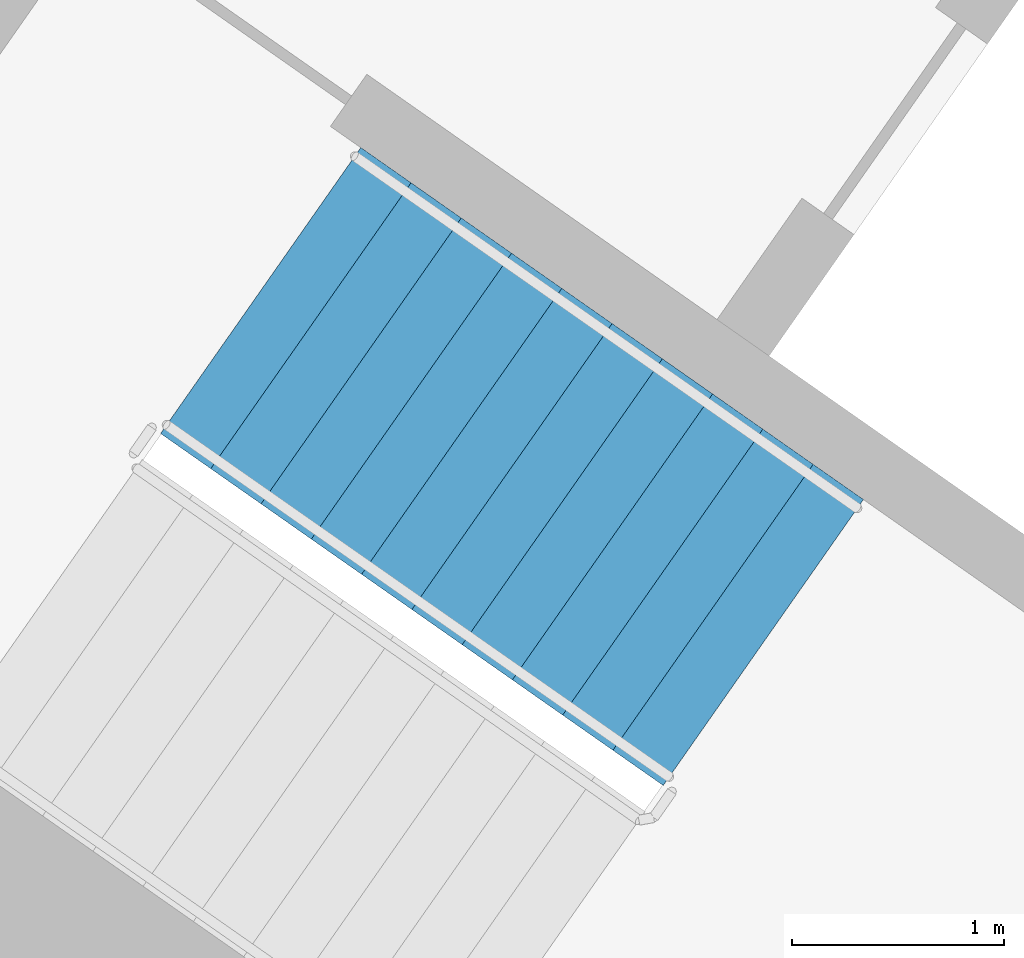
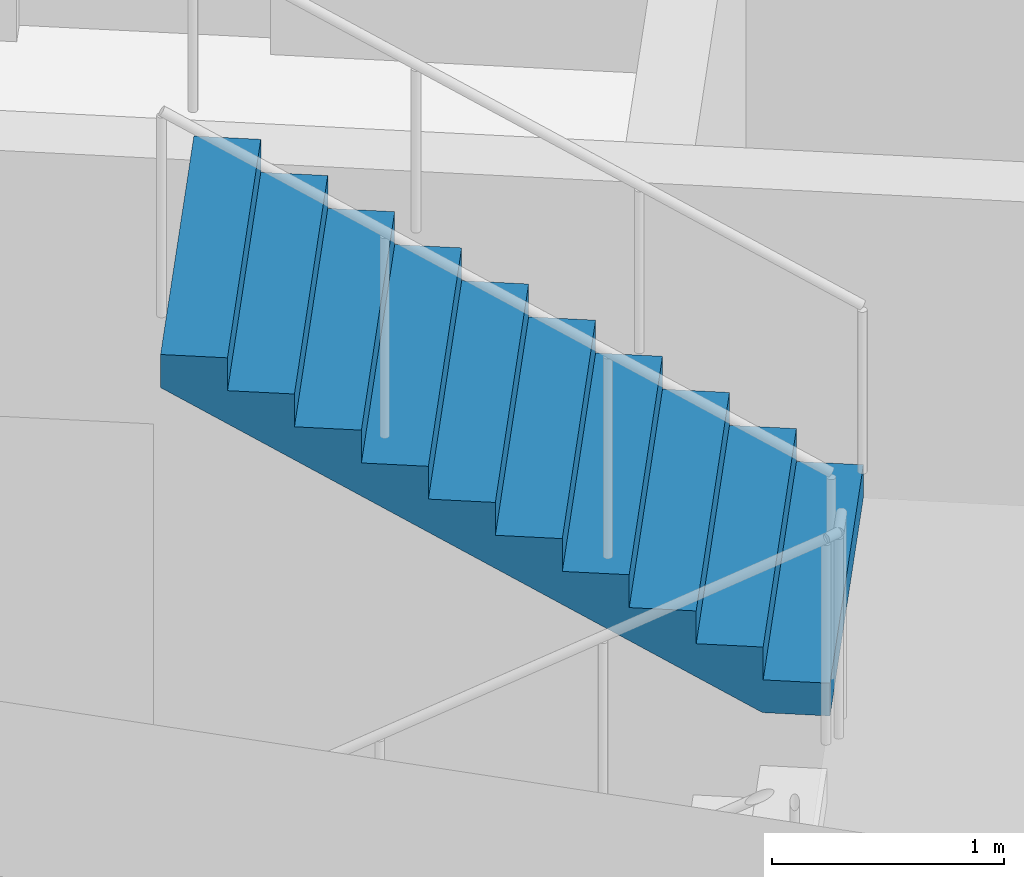
# One storey, part 11 of 30: 1 stair flight, 1 element without a shape of its own.
"""IFC4 building model written with IfcOpenShell, lengths in metres."""

from ifc_helpers import new_model, si_unit, direction, frame, origin, place, context, subcontext, project, spatial, faceted_brep, material, type_object, element, aggregate, save


model = new_model("IFC4")

# Units and contexts
model_context = context("Model", 3, precision=1e-05, world=origin(), true_north=direction((0.0, 1.0)))
body_context = subcontext(model_context, "Body", "Model", "MODEL_VIEW")
ifc_project = project(units=[si_unit("LENGTHUNIT", "METRE"), si_unit("AREAUNIT", "SQUARE_METRE"), si_unit("VOLUMEUNIT", "CUBIC_METRE"), si_unit("PLANEANGLEUNIT", "RADIAN"), si_unit("MASSUNIT", "GRAM", prefix="KILO")], contexts=[model_context])

# Site, building, storey
site_placement = place(None, origin())
site = spatial("IfcSite", under=ifc_project, at=site_placement, CompositionType="ELEMENT")
building_placement = place(site_placement, origin())
building = spatial("IfcBuilding", under=site, at=building_placement, Name="Qamariyya Broadcast Tower", CompositionType="ELEMENT")
storey_placement = place(building_placement, frame((0.0, 0.0, 117.699951171875)))
storey = spatial("IfcBuildingStorey", under=building, at=storey_placement, Name="L26", CompositionType="ELEMENT", Elevation=117.699951171875)

# Stair, stair flight
ifc_material = material(Name="Concrete C50/60", Category="concrete")
stair_type = type_object("IfcStairType", Name="Exit stair 22 risers of 173 mm", PredefinedType="HALF_TURN_STAIR", material=ifc_material)
stair_placement = place(storey_placement, origin())
stair = element("IfcStair", 1, at=stair_placement, inside=storey, type_object=stair_type, Name="L26 Stair W1", PredefinedType="HALF_TURN_STAIR")
stair_flight_type = type_object("IfcStairFlightType", Name="Exit stair flight 11 risers of 173 mm", PredefinedType="STRAIGHT", material=ifc_material)
stair_flight_placement = place(storey_placement, frame((-43.660888671875, -57.17138671875, 1.900146484375), z_axis=(0.0, 0.0, 1.0), x_axis=(-0.819152044289, 0.573576436351, 0.0)))
stair_flight = element("IfcStairFlight", 2, at=stair_flight_placement, type_object=stair_flight_type, Name="ST-W1 flight 2", NumberOfRisers=11, NumberOfTreads=10, PredefinedType="STRAIGHT", RiserHeight=0.172727273, TreadLength=0.29, context=body_context, shape_type="Brep", body=[
    faceted_brep([(0.0, 0.824951171875, 0.0), (0.0, 0.824951171875, 0.172607421875), (0.2900390625, 0.824951171875, 0.172607421875), (0.2900390625, 0.824951171875, 0.345458984375), (0.580078125, 0.824951171875, 0.345458984375), (0.580078125, 0.824951171875, 0.51806640625), (0.8701171875, 0.824951171875, 0.51806640625), (0.8701171875, 0.824951171875, 0.69091796875), (1.159912109375, 0.824951171875, 0.69091796875), (1.159912109375, 0.824951171875, 0.863525390625), (1.449951171875, 0.824951171875, 0.863525390625), (1.449951171875, 0.824951171875, 1.036376953125), (1.739990234375, 0.824951171875, 1.036376953125), (1.739990234375, 0.824951171875, 1.208984375), (2.030029296875, 0.824951171875, 1.208984375), (2.030029296875, 0.824951171875, 1.3818359375), (2.320068359375, 0.824951171875, 1.3818359375), (2.320068359375, 0.824951171875, 1.554443359375), (2.610107421875, 0.824951171875, 1.554443359375), (2.610107421875, 0.824951171875, 1.727294921875), (2.89990234375, 0.824951171875, 1.727294921875), (2.89990234375, 0.824951171875, 1.552734375), (0.29296875, 0.824951171875, 0.0), (0.29296875, -0.824951171875, 0.0), (2.89990234375, -0.824951171875, 1.552734375), (2.89990234375, -0.824951171875, 1.727294921875), (2.610107421875, -0.824951171875, 1.727294921875), (2.610107421875, -0.824951171875, 1.554443359375), (2.320068359375, -0.824951171875, 1.554443359375), (2.320068359375, -0.824951171875, 1.3818359375), (2.030029296875, -0.824951171875, 1.3818359375), (2.030029296875, -0.824951171875, 1.208984375), (1.739990234375, -0.824951171875, 1.208984375), (1.739990234375, -0.824951171875, 1.036376953125), (1.449951171875, -0.824951171875, 1.036376953125), (1.449951171875, -0.824951171875, 0.863525390625), (1.159912109375, -0.824951171875, 0.863525390625), (1.159912109375, -0.824951171875, 0.69091796875), (0.8701171875, -0.824951171875, 0.69091796875), (0.8701171875, -0.824951171875, 0.51806640625), (0.580078125, -0.824951171875, 0.51806640625), (0.580078125, -0.824951171875, 0.345458984375), (0.2900390625, -0.824951171875, 0.345458984375), (0.2900390625, -0.824951171875, 0.172607421875), (0.0, -0.824951171875, 0.172607421875), (0.0, -0.824951171875, 0.0), (0.0, 0.10009765625, 0.0), (0.0, 0.086669921875, 0.0), (0.0, 0.0732421875, 0.0), (0.0, 0.06005859375, 0.0), (0.0, 0.046630859375, 0.0), (0.0, 0.033447265625, 0.0), (0.0, 0.02001953125, 0.0), (0.0, 0.006591796875, 0.0), (0.0, -0.006591796875, 0.0), (0.0, -0.02001953125, 0.0), (0.0, -0.033447265625, 0.0), (0.0, -0.046630859375, 0.0), (0.0, -0.06005859375, 0.0), (0.0, -0.0732421875, 0.0), (0.0, -0.086669921875, 0.0), (0.0, -0.10009765625, 0.0), (0.0, -0.10009765625, 0.172607421875), (0.0, -0.086669921875, 0.172607421875), (0.0, -0.0732421875, 0.172607421875), (0.0, -0.06005859375, 0.172607421875), (0.0, -0.046630859375, 0.172607421875), (0.0, -0.033447265625, 0.172607421875), (0.0, -0.02001953125, 0.172607421875), (0.0, -0.006591796875, 0.172607421875), (0.0, 0.006591796875, 0.172607421875), (0.0, 0.02001953125, 0.172607421875), (0.0, 0.033447265625, 0.172607421875), (0.0, 0.046630859375, 0.172607421875), (0.0, 0.06005859375, 0.172607421875), (0.0, 0.0732421875, 0.172607421875), (0.0, 0.086669921875, 0.172607421875), (0.0, 0.10009765625, 0.172607421875), (0.2900390625, -0.10009765625, 0.172607421875), (0.2900390625, -0.086669921875, 0.172607421875), (0.2900390625, -0.0732421875, 0.172607421875), (0.2900390625, -0.06005859375, 0.172607421875), (0.2900390625, -0.046630859375, 0.172607421875), (0.2900390625, -0.033447265625, 0.172607421875), (0.2900390625, -0.02001953125, 0.172607421875), (0.2900390625, -0.006591796875, 0.172607421875), (0.2900390625, 0.006591796875, 0.172607421875), (0.2900390625, 0.02001953125, 0.172607421875), (0.2900390625, 0.033447265625, 0.172607421875), (0.2900390625, 0.046630859375, 0.172607421875), (0.2900390625, 0.06005859375, 0.172607421875), (0.2900390625, 0.0732421875, 0.172607421875), (0.2900390625, 0.086669921875, 0.172607421875), (0.2900390625, 0.10009765625, 0.172607421875), (0.2900390625, -0.10009765625, 0.345458984375), (0.2900390625, -0.086669921875, 0.345458984375), (0.2900390625, -0.0732421875, 0.345458984375), (0.2900390625, -0.06005859375, 0.345458984375), (0.2900390625, -0.046630859375, 0.345458984375), (0.2900390625, -0.033447265625, 0.345458984375), (0.2900390625, -0.02001953125, 0.345458984375), (0.2900390625, -0.006591796875, 0.345458984375), (0.2900390625, 0.006591796875, 0.345458984375), (0.2900390625, 0.02001953125, 0.345458984375), (0.2900390625, 0.033447265625, 0.345458984375), (0.2900390625, 0.046630859375, 0.345458984375), (0.2900390625, 0.06005859375, 0.345458984375), (0.2900390625, 0.0732421875, 0.345458984375), (0.2900390625, 0.086669921875, 0.345458984375), (0.2900390625, 0.10009765625, 0.345458984375), (0.580078125, -0.10009765625, 0.345458984375), (0.580078125, -0.086669921875, 0.345458984375), (0.580078125, -0.0732421875, 0.345458984375), (0.580078125, -0.06005859375, 0.345458984375), (0.580078125, -0.046630859375, 0.345458984375), (0.580078125, -0.033447265625, 0.345458984375), (0.580078125, -0.02001953125, 0.345458984375), (0.580078125, -0.006591796875, 0.345458984375), (0.580078125, 0.006591796875, 0.345458984375), (0.580078125, 0.02001953125, 0.345458984375), (0.580078125, 0.033447265625, 0.345458984375), (0.580078125, 0.046630859375, 0.345458984375), (0.580078125, 0.06005859375, 0.345458984375), (0.580078125, 0.0732421875, 0.345458984375), (0.580078125, 0.086669921875, 0.345458984375), (0.580078125, 0.10009765625, 0.345458984375), (0.580078125, -0.10009765625, 0.51806640625), (0.580078125, -0.086669921875, 0.51806640625), (0.580078125, -0.0732421875, 0.51806640625), (0.580078125, -0.06005859375, 0.51806640625), (0.580078125, -0.046630859375, 0.51806640625), (0.580078125, -0.033447265625, 0.51806640625), (0.580078125, -0.02001953125, 0.51806640625), (0.580078125, -0.006591796875, 0.51806640625), (0.580078125, 0.006591796875, 0.51806640625), (0.580078125, 0.02001953125, 0.51806640625), (0.580078125, 0.033447265625, 0.51806640625), (0.580078125, 0.046630859375, 0.51806640625), (0.580078125, 0.06005859375, 0.51806640625), (0.580078125, 0.0732421875, 0.51806640625), (0.580078125, 0.086669921875, 0.51806640625), (0.580078125, 0.10009765625, 0.51806640625), (0.8701171875, -0.10009765625, 0.51806640625), (0.8701171875, -0.086669921875, 0.51806640625), (0.8701171875, -0.0732421875, 0.51806640625), (0.8701171875, -0.06005859375, 0.51806640625), (0.8701171875, -0.046630859375, 0.51806640625), (0.8701171875, -0.033447265625, 0.51806640625), (0.8701171875, -0.02001953125, 0.51806640625), (0.8701171875, -0.006591796875, 0.51806640625), (0.8701171875, 0.006591796875, 0.51806640625), (0.8701171875, 0.02001953125, 0.51806640625), (0.8701171875, 0.033447265625, 0.51806640625), (0.8701171875, 0.046630859375, 0.51806640625), (0.8701171875, 0.06005859375, 0.51806640625), (0.8701171875, 0.0732421875, 0.51806640625), (0.8701171875, 0.086669921875, 0.51806640625), (0.8701171875, 0.10009765625, 0.51806640625), (0.8701171875, -0.10009765625, 0.69091796875), (0.8701171875, -0.086669921875, 0.69091796875), (0.8701171875, -0.0732421875, 0.69091796875), (0.8701171875, -0.06005859375, 0.69091796875), (0.8701171875, -0.046630859375, 0.69091796875), (0.8701171875, -0.033447265625, 0.69091796875), (0.8701171875, -0.02001953125, 0.69091796875), (0.8701171875, -0.006591796875, 0.69091796875), (0.8701171875, 0.006591796875, 0.69091796875), (0.8701171875, 0.02001953125, 0.69091796875), (0.8701171875, 0.033447265625, 0.69091796875), (0.8701171875, 0.046630859375, 0.69091796875), (0.8701171875, 0.06005859375, 0.69091796875), (0.8701171875, 0.0732421875, 0.69091796875), (0.8701171875, 0.086669921875, 0.69091796875), (0.8701171875, 0.10009765625, 0.69091796875), (1.159912109375, -0.10009765625, 0.69091796875), (1.159912109375, -0.086669921875, 0.69091796875), (1.159912109375, -0.0732421875, 0.69091796875), (1.159912109375, -0.06005859375, 0.69091796875), (1.159912109375, -0.046630859375, 0.69091796875), (1.159912109375, -0.033447265625, 0.69091796875), (1.159912109375, -0.02001953125, 0.69091796875), (1.159912109375, -0.006591796875, 0.69091796875), (1.159912109375, 0.006591796875, 0.69091796875), (1.159912109375, 0.02001953125, 0.69091796875), (1.159912109375, 0.033447265625, 0.69091796875), (1.159912109375, 0.046630859375, 0.69091796875), (1.159912109375, 0.06005859375, 0.69091796875), (1.159912109375, 0.0732421875, 0.69091796875), (1.159912109375, 0.086669921875, 0.69091796875), (1.159912109375, 0.10009765625, 0.69091796875), (1.159912109375, -0.10009765625, 0.863525390625), (1.159912109375, -0.086669921875, 0.863525390625), (1.159912109375, -0.0732421875, 0.863525390625), (1.159912109375, -0.06005859375, 0.863525390625), (1.159912109375, -0.046630859375, 0.863525390625), (1.159912109375, -0.033447265625, 0.863525390625), (1.159912109375, -0.02001953125, 0.863525390625), (1.159912109375, -0.006591796875, 0.863525390625), (1.159912109375, 0.006591796875, 0.863525390625), (1.159912109375, 0.02001953125, 0.863525390625), (1.159912109375, 0.033447265625, 0.863525390625), (1.159912109375, 0.046630859375, 0.863525390625), (1.159912109375, 0.06005859375, 0.863525390625), (1.159912109375, 0.0732421875, 0.863525390625), (1.159912109375, 0.086669921875, 0.863525390625), (1.159912109375, 0.10009765625, 0.863525390625), (1.449951171875, -0.10009765625, 0.863525390625), (1.449951171875, -0.086669921875, 0.863525390625), (1.449951171875, -0.0732421875, 0.863525390625), (1.449951171875, -0.06005859375, 0.863525390625), (1.449951171875, -0.046630859375, 0.863525390625), (1.449951171875, -0.033447265625, 0.863525390625), (1.449951171875, -0.02001953125, 0.863525390625), (1.449951171875, -0.006591796875, 0.863525390625), (1.449951171875, 0.006591796875, 0.863525390625), (1.449951171875, 0.02001953125, 0.863525390625), (1.449951171875, 0.033447265625, 0.863525390625), (1.449951171875, 0.046630859375, 0.863525390625), (1.449951171875, 0.06005859375, 0.863525390625), (1.449951171875, 0.0732421875, 0.863525390625), (1.449951171875, 0.086669921875, 0.863525390625), (1.449951171875, 0.10009765625, 0.863525390625), (1.449951171875, -0.10009765625, 1.036376953125), (1.449951171875, -0.086669921875, 1.036376953125), (1.449951171875, -0.0732421875, 1.036376953125), (1.449951171875, -0.06005859375, 1.036376953125), (1.449951171875, -0.046630859375, 1.036376953125), (1.449951171875, -0.033447265625, 1.036376953125), (1.449951171875, -0.02001953125, 1.036376953125), (1.449951171875, -0.006591796875, 1.036376953125), (1.449951171875, 0.006591796875, 1.036376953125), (1.449951171875, 0.02001953125, 1.036376953125), (1.449951171875, 0.033447265625, 1.036376953125), (1.449951171875, 0.046630859375, 1.036376953125), (1.449951171875, 0.06005859375, 1.036376953125), (1.449951171875, 0.0732421875, 1.036376953125), (1.449951171875, 0.086669921875, 1.036376953125), (1.449951171875, 0.10009765625, 1.036376953125), (1.739990234375, -0.10009765625, 1.036376953125), (1.739990234375, -0.086669921875, 1.036376953125), (1.739990234375, -0.0732421875, 1.036376953125), (1.739990234375, -0.06005859375, 1.036376953125), (1.739990234375, -0.046630859375, 1.036376953125), (1.739990234375, -0.033447265625, 1.036376953125), (1.739990234375, -0.02001953125, 1.036376953125), (1.739990234375, -0.006591796875, 1.036376953125), (1.739990234375, 0.006591796875, 1.036376953125), (1.739990234375, 0.02001953125, 1.036376953125), (1.739990234375, 0.033447265625, 1.036376953125), (1.739990234375, 0.046630859375, 1.036376953125), (1.739990234375, 0.06005859375, 1.036376953125), (1.739990234375, 0.0732421875, 1.036376953125), (1.739990234375, 0.086669921875, 1.036376953125), (1.739990234375, 0.10009765625, 1.036376953125), (1.739990234375, -0.10009765625, 1.208984375), (1.739990234375, -0.086669921875, 1.208984375), (1.739990234375, -0.0732421875, 1.208984375), (1.739990234375, -0.06005859375, 1.208984375), (1.739990234375, -0.046630859375, 1.208984375), (1.739990234375, -0.033447265625, 1.208984375), (1.739990234375, -0.02001953125, 1.208984375), (1.739990234375, -0.006591796875, 1.208984375), (1.739990234375, 0.006591796875, 1.208984375), (1.739990234375, 0.02001953125, 1.208984375), (1.739990234375, 0.033447265625, 1.208984375), (1.739990234375, 0.046630859375, 1.208984375), (1.739990234375, 0.06005859375, 1.208984375), (1.739990234375, 0.0732421875, 1.208984375), (1.739990234375, 0.086669921875, 1.208984375), (1.739990234375, 0.10009765625, 1.208984375), (2.030029296875, -0.10009765625, 1.208984375), (2.030029296875, -0.086669921875, 1.208984375), (2.030029296875, -0.0732421875, 1.208984375), (2.030029296875, -0.06005859375, 1.208984375), (2.030029296875, -0.046630859375, 1.208984375), (2.030029296875, -0.033447265625, 1.208984375), (2.030029296875, -0.02001953125, 1.208984375), (2.030029296875, -0.006591796875, 1.208984375), (2.030029296875, 0.006591796875, 1.208984375), (2.030029296875, 0.02001953125, 1.208984375), (2.030029296875, 0.033447265625, 1.208984375), (2.030029296875, 0.046630859375, 1.208984375), (2.030029296875, 0.06005859375, 1.208984375), (2.030029296875, 0.0732421875, 1.208984375), (2.030029296875, 0.086669921875, 1.208984375), (2.030029296875, 0.10009765625, 1.208984375), (2.030029296875, -0.10009765625, 1.3818359375), (2.030029296875, -0.086669921875, 1.3818359375), (2.030029296875, -0.0732421875, 1.3818359375), (2.030029296875, -0.06005859375, 1.3818359375), (2.030029296875, -0.046630859375, 1.3818359375), (2.030029296875, -0.033447265625, 1.3818359375), (2.030029296875, -0.02001953125, 1.3818359375), (2.030029296875, -0.006591796875, 1.3818359375), (2.030029296875, 0.006591796875, 1.3818359375), (2.030029296875, 0.02001953125, 1.3818359375), (2.030029296875, 0.033447265625, 1.3818359375), (2.030029296875, 0.046630859375, 1.3818359375), (2.030029296875, 0.06005859375, 1.3818359375), (2.030029296875, 0.0732421875, 1.3818359375), (2.030029296875, 0.086669921875, 1.3818359375), (2.030029296875, 0.10009765625, 1.3818359375), (2.320068359375, -0.10009765625, 1.3818359375), (2.320068359375, -0.086669921875, 1.3818359375), (2.320068359375, -0.0732421875, 1.3818359375), (2.320068359375, -0.06005859375, 1.3818359375), (2.320068359375, -0.046630859375, 1.3818359375), (2.320068359375, -0.033447265625, 1.3818359375), (2.320068359375, -0.02001953125, 1.3818359375), (2.320068359375, -0.006591796875, 1.3818359375), (2.320068359375, 0.006591796875, 1.3818359375), (2.320068359375, 0.02001953125, 1.3818359375), (2.320068359375, 0.033447265625, 1.3818359375), (2.320068359375, 0.046630859375, 1.3818359375), (2.320068359375, 0.06005859375, 1.3818359375), (2.320068359375, 0.0732421875, 1.3818359375), (2.320068359375, 0.086669921875, 1.3818359375), (2.320068359375, 0.10009765625, 1.3818359375), (2.320068359375, -0.10009765625, 1.554443359375), (2.320068359375, -0.086669921875, 1.554443359375), (2.320068359375, -0.0732421875, 1.554443359375), (2.320068359375, -0.06005859375, 1.554443359375), (2.320068359375, -0.046630859375, 1.554443359375), (2.320068359375, -0.033447265625, 1.554443359375), (2.320068359375, -0.02001953125, 1.554443359375), (2.320068359375, -0.006591796875, 1.554443359375), (2.320068359375, 0.006591796875, 1.554443359375), (2.320068359375, 0.02001953125, 1.554443359375), (2.320068359375, 0.033447265625, 1.554443359375), (2.320068359375, 0.046630859375, 1.554443359375), (2.320068359375, 0.06005859375, 1.554443359375), (2.320068359375, 0.0732421875, 1.554443359375), (2.320068359375, 0.086669921875, 1.554443359375), (2.320068359375, 0.10009765625, 1.554443359375), (2.610107421875, -0.10009765625, 1.554443359375), (2.610107421875, -0.086669921875, 1.554443359375), (2.610107421875, -0.0732421875, 1.554443359375), (2.610107421875, -0.06005859375, 1.554443359375), (2.610107421875, -0.046630859375, 1.554443359375), (2.610107421875, -0.033447265625, 1.554443359375), (2.610107421875, -0.02001953125, 1.554443359375), (2.610107421875, -0.006591796875, 1.554443359375), (2.610107421875, 0.006591796875, 1.554443359375), (2.610107421875, 0.02001953125, 1.554443359375), (2.610107421875, 0.033447265625, 1.554443359375), (2.610107421875, 0.046630859375, 1.554443359375), (2.610107421875, 0.06005859375, 1.554443359375), (2.610107421875, 0.0732421875, 1.554443359375), (2.610107421875, 0.086669921875, 1.554443359375), (2.610107421875, 0.10009765625, 1.554443359375), (2.610107421875, -0.10009765625, 1.727294921875), (2.610107421875, -0.086669921875, 1.727294921875), (2.610107421875, -0.0732421875, 1.727294921875), (2.610107421875, -0.06005859375, 1.727294921875), (2.610107421875, -0.046630859375, 1.727294921875), (2.610107421875, -0.033447265625, 1.727294921875), (2.610107421875, -0.02001953125, 1.727294921875), (2.610107421875, -0.006591796875, 1.727294921875), (2.610107421875, 0.006591796875, 1.727294921875), (2.610107421875, 0.02001953125, 1.727294921875), (2.610107421875, 0.033447265625, 1.727294921875), (2.610107421875, 0.046630859375, 1.727294921875), (2.610107421875, 0.06005859375, 1.727294921875), (2.610107421875, 0.0732421875, 1.727294921875), (2.610107421875, 0.086669921875, 1.727294921875), (2.610107421875, 0.10009765625, 1.727294921875), (2.89990234375, -0.10009765625, 1.727294921875), (2.89990234375, -0.086669921875, 1.727294921875), (2.89990234375, -0.0732421875, 1.727294921875), (2.89990234375, -0.06005859375, 1.727294921875), (2.89990234375, -0.046630859375, 1.727294921875), (2.89990234375, -0.033447265625, 1.727294921875), (2.89990234375, -0.02001953125, 1.727294921875), (2.89990234375, -0.006591796875, 1.727294921875), (2.89990234375, 0.006591796875, 1.727294921875), (2.89990234375, 0.02001953125, 1.727294921875), (2.89990234375, 0.033447265625, 1.727294921875), (2.89990234375, 0.046630859375, 1.727294921875), (2.89990234375, 0.06005859375, 1.727294921875), (2.89990234375, 0.0732421875, 1.727294921875), (2.89990234375, 0.086669921875, 1.727294921875), (2.89990234375, 0.10009765625, 1.727294921875), (2.89990234375, -0.10009765625, 1.552734375), (2.89990234375, -0.086669921875, 1.552734375), (2.89990234375, -0.0732421875, 1.552734375), (2.89990234375, -0.06005859375, 1.552734375), (2.89990234375, -0.046630859375, 1.552734375), (2.89990234375, -0.033447265625, 1.552734375), (2.89990234375, -0.02001953125, 1.552734375), (2.89990234375, -0.006591796875, 1.552734375), (2.89990234375, 0.006591796875, 1.552734375), (2.89990234375, 0.02001953125, 1.552734375), (2.89990234375, 0.033447265625, 1.552734375), (2.89990234375, 0.046630859375, 1.552734375), (2.89990234375, 0.06005859375, 1.552734375), (2.89990234375, 0.0732421875, 1.552734375), (2.89990234375, 0.086669921875, 1.552734375), (2.89990234375, 0.10009765625, 1.552734375), (0.29296875, -0.10009765625, 0.0), (0.29296875, -0.086669921875, 0.0), (0.29296875, -0.0732421875, 0.0), (0.29296875, -0.06005859375, 0.0), (0.29296875, -0.046630859375, 0.0), (0.29296875, -0.033447265625, 0.0), (0.29296875, -0.02001953125, 0.0), (0.29296875, -0.006591796875, 0.0), (0.29296875, 0.006591796875, 0.0), (0.29296875, 0.02001953125, 0.0), (0.29296875, 0.033447265625, 0.0), (0.29296875, 0.046630859375, 0.0), (0.29296875, 0.06005859375, 0.0), (0.29296875, 0.0732421875, 0.0), (0.29296875, 0.086669921875, 0.0), (0.29296875, 0.10009765625, 0.0)], [[[0, 1, 2, 3, 4, 5, 6, 7, 8, 9, 10, 11, 12, 13, 14, 15, 16, 17, 18, 19, 20, 21, 22]], [[23, 24, 25, 26, 27, 28, 29, 30, 31, 32, 33, 34, 35, 36, 37, 38, 39, 40, 41, 42, 43, 44, 45]], [[0, 46, 47, 48, 49, 50, 51, 52, 53, 54, 55, 56, 57, 58, 59, 60, 61, 45, 44, 62, 63, 64, 65, 66, 67, 68, 69, 70, 71, 72, 73, 74, 75, 76, 77, 1]], [[1, 77, 76, 75, 74, 73, 72, 71, 70, 69, 68, 67, 66, 65, 64, 63, 62, 44, 43, 78, 79, 80, 81, 82, 83, 84, 85, 86, 87, 88, 89, 90, 91, 92, 93, 2]], [[2, 93, 92, 91, 90, 89, 88, 87, 86, 85, 84, 83, 82, 81, 80, 79, 78, 43, 42, 94, 95, 96, 97, 98, 99, 100, 101, 102, 103, 104, 105, 106, 107, 108, 109, 3]], [[3, 109, 108, 107, 106, 105, 104, 103, 102, 101, 100, 99, 98, 97, 96, 95, 94, 42, 41, 110, 111, 112, 113, 114, 115, 116, 117, 118, 119, 120, 121, 122, 123, 124, 125, 4]], [[4, 125, 124, 123, 122, 121, 120, 119, 118, 117, 116, 115, 114, 113, 112, 111, 110, 41, 40, 126, 127, 128, 129, 130, 131, 132, 133, 134, 135, 136, 137, 138, 139, 140, 141, 5]], [[5, 141, 140, 139, 138, 137, 136, 135, 134, 133, 132, 131, 130, 129, 128, 127, 126, 40, 39, 142, 143, 144, 145, 146, 147, 148, 149, 150, 151, 152, 153, 154, 155, 156, 157, 6]], [[6, 157, 156, 155, 154, 153, 152, 151, 150, 149, 148, 147, 146, 145, 144, 143, 142, 39, 38, 158, 159, 160, 161, 162, 163, 164, 165, 166, 167, 168, 169, 170, 171, 172, 173, 7]], [[7, 173, 172, 171, 170, 169, 168, 167, 166, 165, 164, 163, 162, 161, 160, 159, 158, 38, 37, 174, 175, 176, 177, 178, 179, 180, 181, 182, 183, 184, 185, 186, 187, 188, 189, 8]], [[8, 189, 188, 187, 186, 185, 184, 183, 182, 181, 180, 179, 178, 177, 176, 175, 174, 37, 36, 190, 191, 192, 193, 194, 195, 196, 197, 198, 199, 200, 201, 202, 203, 204, 205, 9]], [[9, 205, 204, 203, 202, 201, 200, 199, 198, 197, 196, 195, 194, 193, 192, 191, 190, 36, 35, 206, 207, 208, 209, 210, 211, 212, 213, 214, 215, 216, 217, 218, 219, 220, 221, 10]], [[10, 221, 220, 219, 218, 217, 216, 215, 214, 213, 212, 211, 210, 209, 208, 207, 206, 35, 34, 222, 223, 224, 225, 226, 227, 228, 229, 230, 231, 232, 233, 234, 235, 236, 237, 11]], [[11, 237, 236, 235, 234, 233, 232, 231, 230, 229, 228, 227, 226, 225, 224, 223, 222, 34, 33, 238, 239, 240, 241, 242, 243, 244, 245, 246, 247, 248, 249, 250, 251, 252, 253, 12]], [[12, 253, 252, 251, 250, 249, 248, 247, 246, 245, 244, 243, 242, 241, 240, 239, 238, 33, 32, 254, 255, 256, 257, 258, 259, 260, 261, 262, 263, 264, 265, 266, 267, 268, 269, 13]], [[13, 269, 268, 267, 266, 265, 264, 263, 262, 261, 260, 259, 258, 257, 256, 255, 254, 32, 31, 270, 271, 272, 273, 274, 275, 276, 277, 278, 279, 280, 281, 282, 283, 284, 285, 14]], [[14, 285, 284, 283, 282, 281, 280, 279, 278, 277, 276, 275, 274, 273, 272, 271, 270, 31, 30, 286, 287, 288, 289, 290, 291, 292, 293, 294, 295, 296, 297, 298, 299, 300, 301, 15]], [[15, 301, 300, 299, 298, 297, 296, 295, 294, 293, 292, 291, 290, 289, 288, 287, 286, 30, 29, 302, 303, 304, 305, 306, 307, 308, 309, 310, 311, 312, 313, 314, 315, 316, 317, 16]], [[16, 317, 316, 315, 314, 313, 312, 311, 310, 309, 308, 307, 306, 305, 304, 303, 302, 29, 28, 318, 319, 320, 321, 322, 323, 324, 325, 326, 327, 328, 329, 330, 331, 332, 333, 17]], [[17, 333, 332, 331, 330, 329, 328, 327, 326, 325, 324, 323, 322, 321, 320, 319, 318, 28, 27, 334, 335, 336, 337, 338, 339, 340, 341, 342, 343, 344, 345, 346, 347, 348, 349, 18]], [[18, 349, 348, 347, 346, 345, 344, 343, 342, 341, 340, 339, 338, 337, 336, 335, 334, 27, 26, 350, 351, 352, 353, 354, 355, 356, 357, 358, 359, 360, 361, 362, 363, 364, 365, 19]], [[19, 365, 364, 363, 362, 361, 360, 359, 358, 357, 356, 355, 354, 353, 352, 351, 350, 26, 25, 366, 367, 368, 369, 370, 371, 372, 373, 374, 375, 376, 377, 378, 379, 380, 381, 20]], [[20, 381, 380, 379, 378, 377, 376, 375, 374, 373, 372, 371, 370, 369, 368, 367, 366, 25, 24, 382, 383, 384, 385, 386, 387, 388, 389, 390, 391, 392, 393, 394, 395, 396, 397, 21]], [[21, 397, 396, 395, 394, 393, 392, 391, 390, 389, 388, 387, 386, 385, 384, 383, 382, 24, 23, 398, 399, 400, 401, 402, 403, 404, 405, 406, 407, 408, 409, 410, 411, 412, 413, 22]], [[22, 413, 412, 411, 410, 409, 408, 407, 406, 405, 404, 403, 402, 401, 400, 399, 398, 23, 45, 61, 60, 59, 58, 57, 56, 55, 54, 53, 52, 51, 50, 49, 48, 47, 46, 0]]]),
])
aggregate(stair, [stair_flight])

save(model, "model.ifc")
